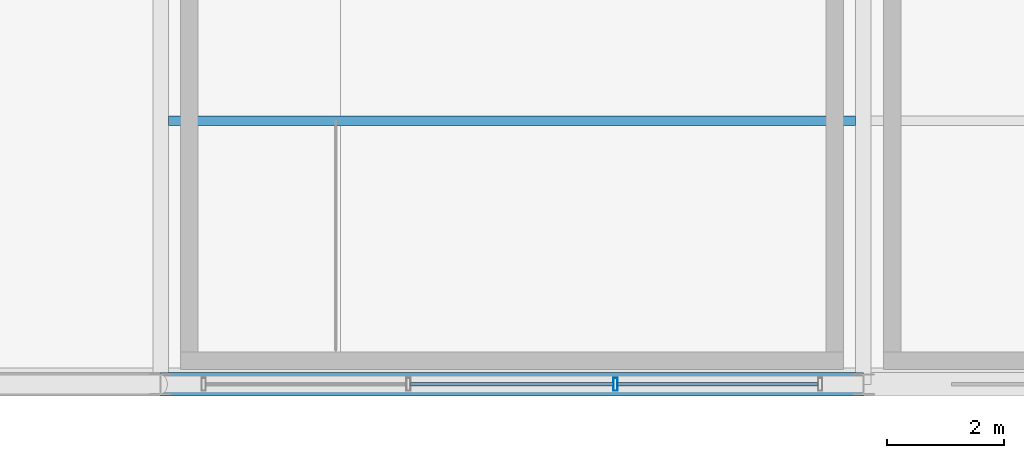
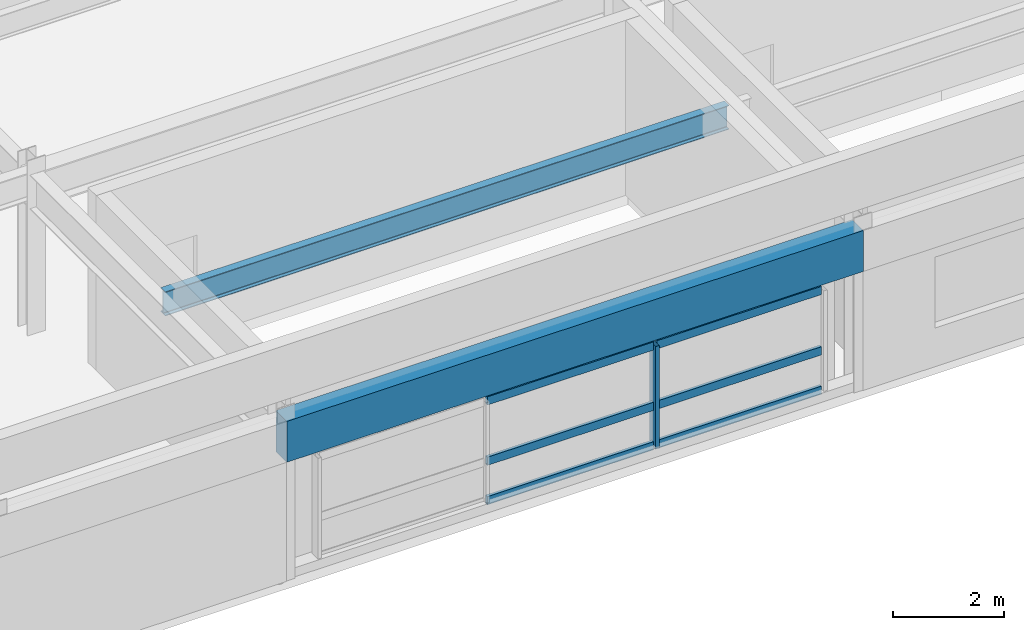
# One storey, part 34 of 108: 7 members, 2 beams, 1 element without a shape of its own.
"""IFC4 building model written with IfcOpenShell, lengths in metres."""

from ifc_helpers import new_model, si_unit, direction, frame, origin, origin_2d, place, context, subcontext, project, spatial, rectangle, hollow_rectangle, i_section, extrude, material, material_profile, profile_set, type_object, element, aggregate, save


model = new_model("IFC4")

# Units and contexts
model_context = context("Model", 3, precision=1e-05, world=origin(), true_north=direction((0.0, 1.0)))
body_context = subcontext(model_context, "Body", "Model", "MODEL_VIEW")
ifc_project = project(units=[si_unit("LENGTHUNIT", "METRE"), si_unit("AREAUNIT", "SQUARE_METRE"), si_unit("VOLUMEUNIT", "CUBIC_METRE"), si_unit("PLANEANGLEUNIT", "RADIAN"), si_unit("MASSUNIT", "GRAM", prefix="KILO")], contexts=[model_context])

# Site, building, storey
site_placement = place(None, origin())
site = spatial("IfcSite", under=ifc_project, at=site_placement, CompositionType="ELEMENT")
building_placement = place(site_placement, origin())
building = spatial("IfcBuilding", under=site, at=building_placement, Name="Kaldorvane Square Convention Centre", CompositionType="ELEMENT")
storey_placement = place(building_placement, frame((0.0, 0.0, 23.399993896484375)))
storey = spatial("IfcBuildingStorey", under=building, at=storey_placement, Name="L04", CompositionType="ELEMENT", Elevation=23.399993896484375)

# Beams
ifc_material_1 = material(Name="Steel ASTM A992 Gr. 50", Category="steel")
ifc_material_profile_1 = material_profile(ifc_material_1, i_section(OverallWidth=0.1658935546875, OverallDepth=0.5290985107421875, WebThickness=0.00970458984375, FlangeThickness=0.0135955810546875, FilletRadius=0.0126953125, at=origin_2d()), Name="W21X50")
ifc_profile_set_1 = profile_set([ifc_material_profile_1], Name="Steel ASTM A992 Gr. 50")
beam_type_1 = type_object("IfcBeamType", Name="BM-JS-W21X50", PredefinedType="JOIST", material=ifc_profile_set_1)
beam_1_placement = place(storey_placement, frame((102.13330078125, 4.5, 3.26141357421875), z_axis=(1.0, 0.0, 0.0), x_axis=(0.0, 1.0, 0.0)))
element("IfcBeam", 1, at=beam_1_placement, inside=storey, type_object=beam_type_1, Name="Secondary Floor Joist (L04)", PredefinedType="JOIST", context=body_context, shape_type="SweptSolid", body=[
    extrude(i_section(OverallWidth=0.1658935546875, OverallDepth=0.5290985107421875, WebThickness=0.00970458984375, FlangeThickness=0.0135955810546875, FilletRadius=0.0126953125, at=origin_2d()), origin(), (0.0, 0.0, 1.0), 11.7333984375),
])
ifc_material_2 = material(Name="Concrete f'c = 42 MPa (Normalweight)", Category="concrete")
ifc_material_profile_2 = material_profile(ifc_material_2, rectangle(XDim=0.399993896484375, YDim=0.899993896484375, at=origin_2d()), Name="RCSP900X400")
ifc_profile_set_2 = profile_set([ifc_material_profile_2], Name="Concrete f'c = 42 MPa (Normalweight)")
beam_type_2 = type_object("IfcBeamType", Name="BM-SP-RC900", PredefinedType="SPANDREL", material=ifc_profile_set_2)
beam_2_placement = place(storey_placement, frame((102.0, 0.0, 3.0760040283203125), z_axis=(1.0, 0.0, 0.0), x_axis=(0.0, 1.0, 0.0)))
element("IfcBeam", 2, at=beam_2_placement, inside=storey, type_object=beam_type_2, Name="Perimeter Spandrel (L04)", PredefinedType="SPANDREL", context=body_context, shape_type="SweptSolid", body=[
    extrude(rectangle(XDim=0.399993896484375, YDim=0.899993896484375, at=origin_2d()), origin(), (0.0, 0.0, 1.0), 12.0),
])

# Curtain wall, members
ifc_material_3 = material(Name="Anodized Aluminum and Low-E Insulated Glazing", Category="aluminium")
curtain_wall_type = type_object("IfcCurtainWallType", Name="CW-UNI-P42-12", PredefinedType="USERDEFINED", material=ifc_material_3)
curtain_wall_placement = place(storey_placement, origin())
curtain_wall = element("IfcCurtainWall", 3, at=curtain_wall_placement, inside=storey, type_object=curtain_wall_type, Name="Curtain Wall CW-05 (L04)", ObjectType="UNITISED GLAZING", PredefinedType="USERDEFINED")
ifc_material_profile_3 = material_profile(ifc_material_3, hollow_rectangle(XDim=0.0749969482421875, YDim=0.220001220703125, WallThickness=0.003997802734375, at=origin_2d()), Name="CWM-220X75")
ifc_profile_set_3 = profile_set([ifc_material_profile_3], Name="Anodized Aluminum and Low-E Insulated Glazing")
member_type_1 = type_object("IfcMemberType", Name="CW-MUL-220", PredefinedType="MULLION", material=ifc_profile_set_3)
member_1_placement = place(storey_placement, frame((109.76666259765625, 0.0, 0.1500091552734375), z_axis=(0.0, 0.0, 1.0), x_axis=(1.0, 0.0, 0.0)))
member_1 = element("IfcMember", 4, at=member_1_placement, type_object=member_type_1, Name="CW-05 mullion 3", PredefinedType="MULLION", context=body_context, shape_type="SweptSolid", body=[
    extrude(hollow_rectangle(XDim=0.0749969482421875, YDim=0.220001220703125, WallThickness=0.003997802734375, at=origin_2d()), origin(), (0.0, 0.0, 1.0), 2.2599945068359375),
])
ifc_material_profile_4 = material_profile(ifc_material_3, hollow_rectangle(XDim=0.06500244140625, YDim=0.17999267578125, WallThickness=0.0034942626953125, at=origin_2d()), Name="CWT-180X65")
ifc_profile_set_4 = profile_set([ifc_material_profile_4], Name="Anodized Aluminum and Low-E Insulated Glazing")
member_type_2 = type_object("IfcMemberType", Name="CW-TRN-180", PredefinedType="USERDEFINED", material=ifc_profile_set_4)
member_2_placement = place(storey_placement, frame((106.27082824707031, 0.0, 0.1825103759765625), z_axis=(1.0, 0.0, 0.0), x_axis=(0.0, 1.0, 0.0)))
member_2 = element("IfcMember", 5, at=member_2_placement, type_object=member_type_2, Name="CW-05 transom 2.1", ObjectType="TRANSOM", PredefinedType="USERDEFINED", context=body_context, shape_type="SweptSolid", body=[
    extrude(hollow_rectangle(XDim=0.06500244140625, YDim=0.17999267578125, WallThickness=0.0034942626953125, at=origin_2d()), origin(), (0.0, 0.0, 1.0), 3.458343505859375),
])
member_3_placement = place(storey_placement, frame((106.27082824707031, 0.0, 1.0500030517578125), z_axis=(1.0, 0.0, 0.0), x_axis=(0.0, 1.0, 0.0)))
member_3 = element("IfcMember", 6, at=member_3_placement, type_object=member_type_2, Name="CW-05 transom 2.2", ObjectType="TRANSOM", PredefinedType="USERDEFINED", context=body_context, shape_type="SweptSolid", body=[
    extrude(hollow_rectangle(XDim=0.06500244140625, YDim=0.17999267578125, WallThickness=0.0034942626953125, at=origin_2d()), origin(), (0.0, 0.0, 1.0), 3.458343505859375),
])
member_4_placement = place(storey_placement, frame((106.27082824707031, 0.0, 2.37750244140625), z_axis=(1.0, 0.0, 0.0), x_axis=(0.0, 1.0, 0.0)))
member_4 = element("IfcMember", 7, at=member_4_placement, type_object=member_type_2, Name="CW-05 transom 2.3", ObjectType="TRANSOM", PredefinedType="USERDEFINED", context=body_context, shape_type="SweptSolid", body=[
    extrude(hollow_rectangle(XDim=0.06500244140625, YDim=0.17999267578125, WallThickness=0.0034942626953125, at=origin_2d()), origin(), (0.0, 0.0, 1.0), 3.458343505859375),
])
member_5_placement = place(storey_placement, frame((109.80416870117188, 0.0, 0.1825103759765625), z_axis=(1.0, 0.0, 0.0), x_axis=(0.0, 1.0, 0.0)))
member_5 = element("IfcMember", 8, at=member_5_placement, type_object=member_type_2, Name="CW-05 transom 3.1", ObjectType="TRANSOM", PredefinedType="USERDEFINED", context=body_context, shape_type="SweptSolid", body=[
    extrude(hollow_rectangle(XDim=0.06500244140625, YDim=0.17999267578125, WallThickness=0.0034942626953125, at=origin_2d()), origin(), (0.0, 0.0, 1.0), 3.42083740234375),
])
member_6_placement = place(storey_placement, frame((109.80416870117188, 0.0, 1.0500030517578125), z_axis=(1.0, 0.0, 0.0), x_axis=(0.0, 1.0, 0.0)))
member_6 = element("IfcMember", 9, at=member_6_placement, type_object=member_type_2, Name="CW-05 transom 3.2", ObjectType="TRANSOM", PredefinedType="USERDEFINED", context=body_context, shape_type="SweptSolid", body=[
    extrude(hollow_rectangle(XDim=0.06500244140625, YDim=0.17999267578125, WallThickness=0.0034942626953125, at=origin_2d()), origin(), (0.0, 0.0, 1.0), 3.42083740234375),
])
member_7_placement = place(storey_placement, frame((109.80416870117188, 0.0, 2.37750244140625), z_axis=(1.0, 0.0, 0.0), x_axis=(0.0, 1.0, 0.0)))
member_7 = element("IfcMember", 10, at=member_7_placement, type_object=member_type_2, Name="CW-05 transom 3.3", ObjectType="TRANSOM", PredefinedType="USERDEFINED", context=body_context, shape_type="SweptSolid", body=[
    extrude(hollow_rectangle(XDim=0.06500244140625, YDim=0.17999267578125, WallThickness=0.0034942626953125, at=origin_2d()), origin(), (0.0, 0.0, 1.0), 3.42083740234375),
])
aggregate(curtain_wall, [member_1, member_2, member_3, member_4, member_5, member_6, member_7])

save(model, "model.ifc")
